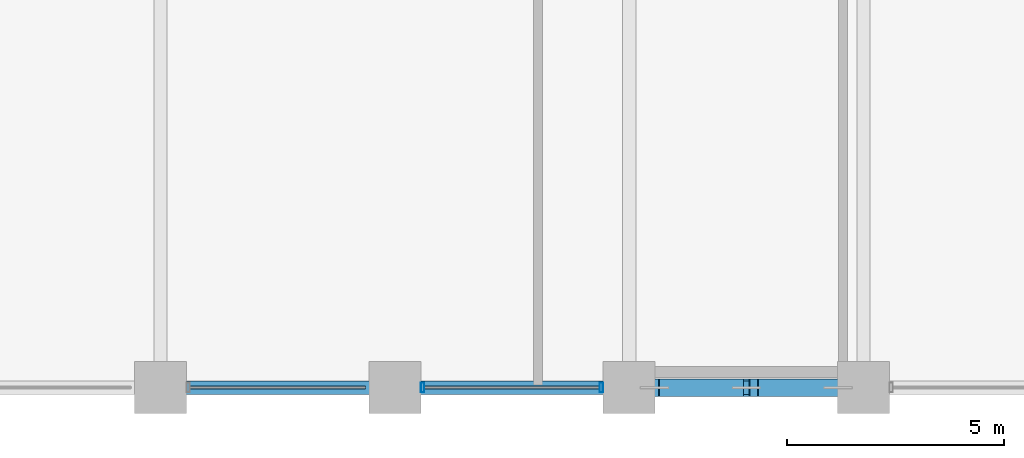
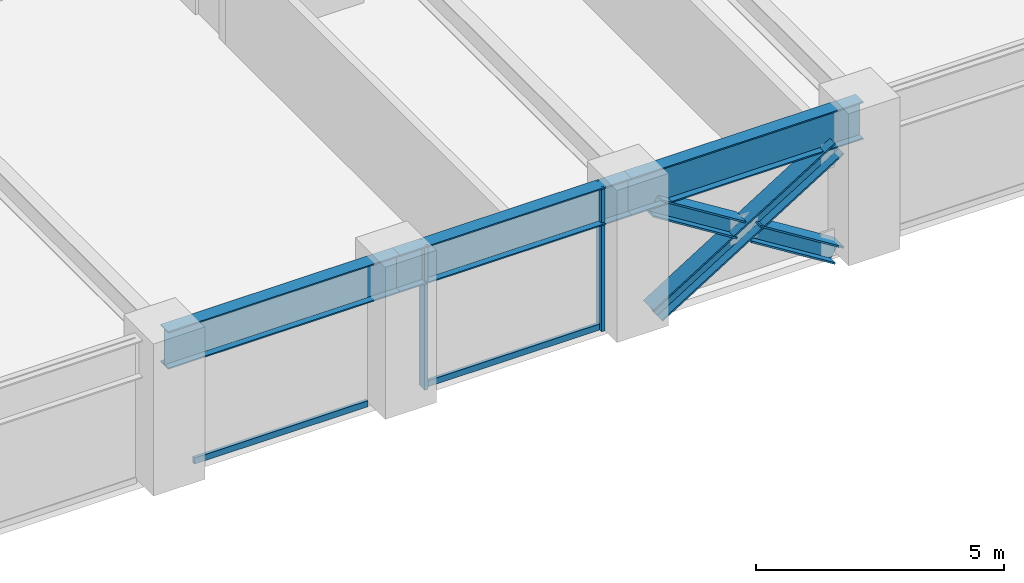
# One storey, part 3 of 28: 7 members, 3 beams, 1 element without a shape of its own.
"""IFC4 building model written with IfcOpenShell, lengths in metres."""

from ifc_helpers import new_model, si_unit, direction, frame, origin, origin_2d, place, context, subcontext, project, spatial, hollow_rectangle, i_section, extrude, material, layer, layer_set, material_profile, profile_set, type_object, element, aggregate, save


model = new_model("IFC4")

# Units and contexts
model_context = context("Model", 3, precision=1e-05, world=origin(), true_north=direction((0.0, 1.0)))
body_context = subcontext(model_context, "Body", "Model", "MODEL_VIEW")
ifc_project = project(units=[si_unit("LENGTHUNIT", "METRE"), si_unit("AREAUNIT", "SQUARE_METRE"), si_unit("VOLUMEUNIT", "CUBIC_METRE"), si_unit("PLANEANGLEUNIT", "RADIAN"), si_unit("MASSUNIT", "GRAM", prefix="KILO")], contexts=[model_context])

# Site, building, storey
site_placement = place(None, origin())
site = spatial("IfcSite", under=ifc_project, at=site_placement, CompositionType="ELEMENT")
building_placement = place(site_placement, origin())
building = spatial("IfcBuilding", under=site, at=building_placement, Name="Surkhivell Harbour Commons", CompositionType="ELEMENT")
storey_placement = place(building_placement, frame((0.0, 0.0, 67.5)))
storey = spatial("IfcBuildingStorey", under=building, at=storey_placement, Name="L17", CompositionType="ELEMENT", Elevation=67.5)

# Beams
ifc_material_1 = material(Name="Steel S460", Category="steel")
ifc_material_profile_1 = material_profile(ifc_material_1, i_section(OverallWidth=0.30810546875, OverallDepth=0.927001953125, WebThickness=0.01953125, FlangeThickness=0.031982421875, at=origin_2d()), Name="UB914x305x289")
ifc_profile_set_1 = profile_set([ifc_material_profile_1], Name="Steel S460")
beam_type = type_object("IfcBeamType", Name="BM-SPN-914B", PredefinedType="SPANDREL", material=ifc_profile_set_1)
beam_1_placement = place(storey_placement, frame((-21.60009765625, -25.89990234375, 3.1064453125), z_axis=(1.0, 0.0, 0.0), x_axis=(0.0, 1.0, 0.0)))
element("IfcBeam", 1, at=beam_1_placement, inside=storey, type_object=beam_type, Name="L17 Tube Spandrel (-21.6,-25.9)", PredefinedType="SPANDREL", context=body_context, shape_type="SweptSolid", body=[
    extrude(i_section(OverallWidth=0.30810546875, OverallDepth=0.927001953125, WebThickness=0.01953125, FlangeThickness=0.031982421875, at=origin_2d()), origin(), (0.0, 0.0, 1.0), 5.400146484375),
])
beam_2_placement = place(storey_placement, frame((-16.199951171875, -25.89990234375, 3.1064453125), z_axis=(1.0, 0.0, 0.0), x_axis=(0.0, 1.0, 0.0)))
element("IfcBeam", 2, at=beam_2_placement, inside=storey, type_object=beam_type, Name="L17 Tube Spandrel (-16.2,-25.9)", PredefinedType="SPANDREL", context=body_context, shape_type="SweptSolid", body=[
    extrude(i_section(OverallWidth=0.30810546875, OverallDepth=0.927001953125, WebThickness=0.01953125, FlangeThickness=0.031982421875, at=origin_2d()), origin(), (0.0, 0.0, 1.0), 5.39990234375),
])
beam_3_placement = place(storey_placement, frame((-10.800048828125, -25.89990234375, 3.1064453125), z_axis=(1.0, 0.0, 0.0), x_axis=(0.0, 1.0, 0.0)))
element("IfcBeam", 3, at=beam_3_placement, inside=storey, type_object=beam_type, Name="L17 Tube Spandrel (-10.8,-25.9)", PredefinedType="SPANDREL", context=body_context, shape_type="SweptSolid", body=[
    extrude(i_section(OverallWidth=0.30810546875, OverallDepth=0.927001953125, WebThickness=0.01953125, FlangeThickness=0.031982421875, at=origin_2d()), origin(), (0.0, 0.0, 1.0), 5.400146484375),
])

# Curtain wall, members
ifc_material_2 = material(Name="Anodised pale-metal aluminium and insulated glazing", Category="aluminium")
ifc_layer = layer(ifc_material_2, 0.219970703125)
ifc_layer_set = layer_set([ifc_layer], Name="Anodised pale-metal aluminium and insulated glazing")
curtain_wall_type = type_object("IfcCurtainWallType", Name="CW-SYS-Z1", PredefinedType="NOTDEFINED", material=ifc_layer_set)
curtain_wall_placement = place(storey_placement, origin())
curtain_wall = element("IfcCurtainWall", 4, at=curtain_wall_placement, inside=storey, type_object=curtain_wall_type, Name="L17 Curtain Wall CW-L17-E00S1", PredefinedType="NOTDEFINED")
ifc_material_3 = material(Name="Anodised pale-metal aluminium alloy 6063-T6", Category="aluminium")
ifc_material_profile_2 = material_profile(ifc_material_3, hollow_rectangle(XDim=0.074951171875, YDim=0.219970703125, WallThickness=0.00390625, at=origin_2d()), Name="ALU-MULL-75x220")
ifc_profile_set_2 = profile_set([ifc_material_profile_2], Name="Anodised pale-metal aluminium alloy 6063-T6")
member_type_1 = type_object("IfcMemberType", Name="CWM-220", PredefinedType="MULLION", material=ifc_profile_set_2)
member_1_placement = place(storey_placement, frame((-15.560546875, -25.89990234375, 0.0), z_axis=(0.0, 0.0, 1.0), x_axis=(1.0, 0.0, 0.0)))
member_1 = element("IfcMember", 5, at=member_1_placement, type_object=member_type_1, Name="CW-Z1 mullion 3", PredefinedType="MULLION", context=body_context, shape_type="SweptSolid", body=[
    extrude(hollow_rectangle(XDim=0.074951171875, YDim=0.219970703125, WallThickness=0.00390625, at=origin_2d()), origin(), (0.0, 0.0, 1.0), 3.570068359375),
])
member_2_placement = place(storey_placement, frame((-11.439453125, -25.89990234375, 0.0), z_axis=(0.0, 0.0, 1.0), x_axis=(1.0, 0.0, 0.0)))
member_2 = element("IfcMember", 6, at=member_2_placement, type_object=member_type_1, Name="CW-Z1 mullion 4", PredefinedType="MULLION", context=body_context, shape_type="SweptSolid", body=[
    extrude(hollow_rectangle(XDim=0.074951171875, YDim=0.219970703125, WallThickness=0.00390625, at=origin_2d()), origin(), (0.0, 0.0, 1.0), 3.570068359375),
])
ifc_material_profile_3 = material_profile(ifc_material_3, hollow_rectangle(XDim=0.074951171875, YDim=0.14990234375, WallThickness=0.00341796875, at=origin_2d()), Name="ALU-TRAN-75x150")
ifc_profile_set_3 = profile_set([ifc_material_profile_3], Name="Anodised pale-metal aluminium alloy 6063-T6")
member_type_2 = type_object("IfcMemberType", Name="CWT-150", PredefinedType="USERDEFINED", material=ifc_profile_set_3)
member_3_placement = place(storey_placement, frame((-20.923095703125, -25.89990234375, 0.074951171875), z_axis=(1.0, 0.0, 0.0), x_axis=(0.0, 1.0, 0.0)))
member_3 = element("IfcMember", 7, at=member_3_placement, type_object=member_type_2, Name="CW-Z1 transom 2.1", ObjectType="TRANSOM", PredefinedType="USERDEFINED", context=body_context, shape_type="SweptSolid", body=[
    extrude(hollow_rectangle(XDim=0.074951171875, YDim=0.14990234375, WallThickness=0.00341796875, at=origin_2d()), origin(), (0.0, 0.0, 1.0), 4.046142578125),
])
member_4_placement = place(storey_placement, frame((-15.52294921875, -25.89990234375, 0.074951171875), z_axis=(1.0, 0.0, 0.0), x_axis=(0.0, 1.0, 0.0)))
member_4 = element("IfcMember", 8, at=member_4_placement, type_object=member_type_2, Name="CW-Z1 transom 3.1", ObjectType="TRANSOM", PredefinedType="USERDEFINED", context=body_context, shape_type="SweptSolid", body=[
    extrude(hollow_rectangle(XDim=0.074951171875, YDim=0.14990234375, WallThickness=0.00341796875, at=origin_2d()), origin(), (0.0, 0.0, 1.0), 4.0458984375),
])
aggregate(curtain_wall, [member_3, member_1, member_2, member_4])

# Members
ifc_material_profile_4 = material_profile(ifc_material_1, i_section(OverallWidth=0.406005859375, OverallDepth=0.416015625, WebThickness=0.026611328125, FlangeThickness=0.0390625, at=origin_2d()), Name="HD400x382")
ifc_profile_set_4 = profile_set([ifc_material_profile_4], Name="Steel S460")
member_type_3 = type_object("IfcMemberType", Name="MEM-BRC-HD382", PredefinedType="BRACE", material=ifc_profile_set_4)
member_5_placement = place(storey_placement, frame((-10.215087890625, -25.89990234375, 0.008056640625), z_axis=(0.848432685315, 0.0, 0.529303295369), x_axis=(0.0, 1.0, 0.0)))
element("IfcMember", 9, at=member_5_placement, inside=storey, type_object=member_type_3, Name="L17 Perimeter Mega-Brace MB- 07", PredefinedType="BRACE", context=body_context, shape_type="SweptSolid", body=[
    extrude(i_section(OverallWidth=0.406005859375, OverallDepth=0.416015625, WebThickness=0.026611328125, FlangeThickness=0.0390625, at=origin_2d()), origin(), (0.0, 0.0, 1.0), 4.985595703125),
])
member_6_placement = place(storey_placement, frame((-5.985107421875, -25.89990234375, 0.008056640625), z_axis=(-0.848458555811, 0.0, 0.529261824688), x_axis=(0.0, -1.0, 0.0)))
element("IfcMember", 10, at=member_6_placement, inside=storey, type_object=member_type_3, Name="L17 Perimeter Mega-Brace MB- 08", PredefinedType="BRACE", context=body_context, shape_type="SweptSolid", body=[
    extrude(i_section(OverallWidth=0.406005859375, OverallDepth=0.416015625, WebThickness=0.026611328125, FlangeThickness=0.0390625, at=origin_2d()), origin(), (0.0, 0.0, 1.0), 2.29296875),
])
member_7_placement = place(storey_placement, frame((-8.269287109375, -25.89990234375, 1.43310546875), z_axis=(-0.84844057108, 0.0, 0.529290654882), x_axis=(0.0, -1.0, 0.0)))
element("IfcMember", 11, at=member_7_placement, inside=storey, type_object=member_type_3, Name="L17 Perimeter Mega-Brace MB- 09", PredefinedType="BRACE", context=body_context, shape_type="SweptSolid", body=[
    extrude(i_section(OverallWidth=0.406005859375, OverallDepth=0.416015625, WebThickness=0.026611328125, FlangeThickness=0.0390625, at=origin_2d()), origin(), (0.0, 0.0, 1.0), 2.29345703125),
])

save(model, "model.ifc")
